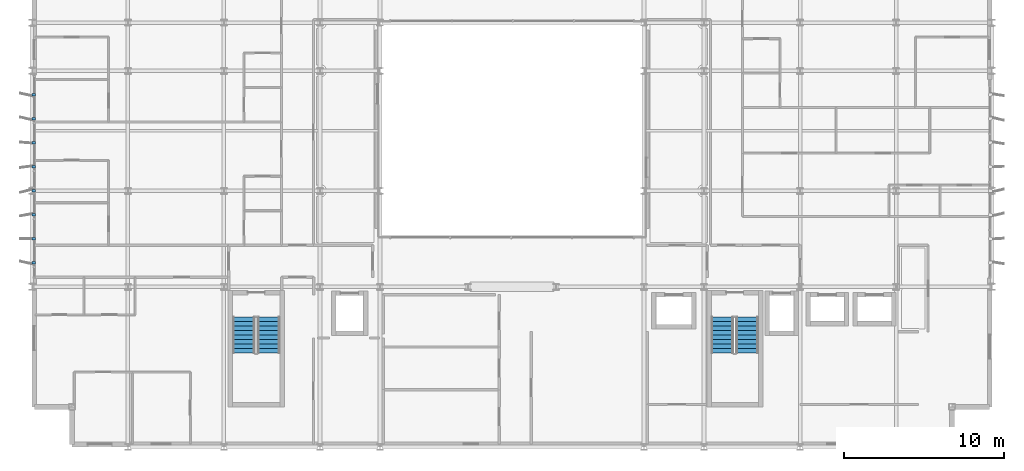
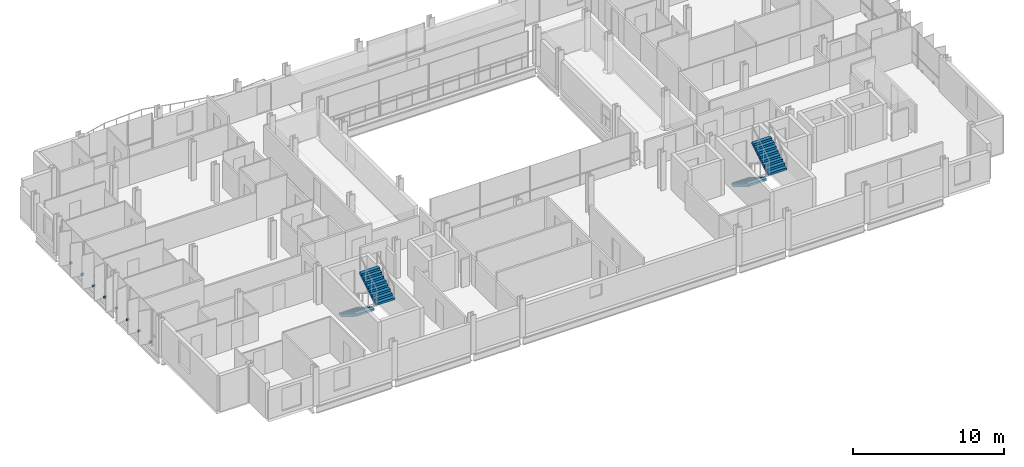
# One storey, part 34 of 38: 8 discrete accessories, 4 stair flights, 2 elements without a shape of their own.
"""IFC4 building model written with IfcOpenShell, lengths in metres."""

import ifcopenshell
import ifcopenshell.guid

model = None  # the IFC model being written
_history = None  # IfcOwnerHistory: only IFC2X3 demands one
_inside = {}  # id of a spatial element -> (the spatial element, [elements in it])
_under = {}  # id of a project, library or spatial element -> (it, [spatial elements below it])
_declared = {}  # id of a project -> (the project, [libraries it declares])
_typed = {}  # id of a type object -> (the type object, [elements of that type])
_made_of = {}  # id of a material, layer set ... -> (it, [elements and type objects made of it])


def new_model(schema):
    """Start an empty IFC model of exactly this schema.

    Asked for "IFC4X3", IfcOpenShell would pick the latest addendum, in which some entities
    have other attributes; the version numbers below select the first issue.
    IFC2X3 requires an IfcOwnerHistory on every rooted entity: one is made here for all.
    """
    global model, _history
    if schema == "IFC4X3":
        model = ifcopenshell.file(schema_version=(4, 3, 0, 0))
    else:
        model = ifcopenshell.file(schema=schema)
    _inside.clear()
    _under.clear()
    _declared.clear()
    _typed.clear()
    _made_of.clear()
    _history = None
    if model.schema == "IFC2X3":
        org = make("IfcOrganization", Name="unknown")
        user = make(
            "IfcPersonAndOrganization",
            ThePerson=make("IfcPerson", FamilyName="unknown"),
            TheOrganization=org,
        )
        app = make(
            "IfcApplication",
            ApplicationDeveloper=org,
            Version="unknown",
            ApplicationFullName="unknown",
            ApplicationIdentifier="unknown",
        )
        _history = make(
            "IfcOwnerHistory",
            OwningUser=user,
            OwningApplication=app,
            ChangeAction="ADDED",
            CreationDate=0,
        )
    return model


def make(cls, **values):
    """One entity of the class cls with the attributes given. An attribute that is None is left unset."""
    return model.create_entity(
        cls, **{name: value for name, value in values.items() if value is not None}
    )


def rooted(cls, **values):
    """An entity with a GlobalId (a new one), such as an element, a storey or a relation."""
    return make(cls, GlobalId=ifcopenshell.guid.new(), OwnerHistory=_history, **values)


def si_unit(unit_type, name, prefix=None):
    """IfcSIUnit, for example si_unit("LENGTHUNIT", "METRE", prefix="MILLI")."""
    return make("IfcSIUnit", UnitType=unit_type, Prefix=prefix, Name=name)


def assignment(units):
    """IfcUnitAssignment: the units of a project."""
    return None if units is None else make("IfcUnitAssignment", Units=units)


def point(xyz):
    """IfcCartesianPoint."""
    return None if xyz is None else make("IfcCartesianPoint", Coordinates=xyz)


def direction(xyz):
    """IfcDirection."""
    return None if xyz is None else make("IfcDirection", DirectionRatios=xyz)


def frame(location, z_axis=None, x_axis=None):
    """IfcAxis2Placement3D, a coordinate frame: its origin and axes. An axis left out is left unset."""
    return make(
        "IfcAxis2Placement3D",
        Location=point(location),
        Axis=direction(z_axis),
        RefDirection=direction(x_axis),
    )


def frame_2d(location, x_axis=None):
    """IfcAxis2Placement2D, a coordinate frame in the plane: its origin and x axis."""
    return make(
        "IfcAxis2Placement2D", Location=point(location), RefDirection=direction(x_axis)
    )


def origin():
    """The frame at (0, 0, 0) with its axes left unset."""
    return frame((0.0, 0.0, 0.0))


def origin_2d():
    """The frame at (0, 0) in the plane with its x axis left unset."""
    return frame_2d((0.0, 0.0))


def place(relative_to, where):
    """IfcLocalPlacement: puts the frame where relative to a parent placement (None: the world)."""
    return make(
        "IfcLocalPlacement", PlacementRelTo=relative_to, RelativePlacement=where
    )


def context(
    kind, dimensions, precision=None, world=None, true_north=None, identifier=None
):
    """IfcGeometricRepresentationContext, for example the 3D "Model" context."""
    return make(
        "IfcGeometricRepresentationContext",
        ContextIdentifier=identifier,
        ContextType=kind,
        CoordinateSpaceDimension=dimensions,
        Precision=precision,
        WorldCoordinateSystem=world,
        TrueNorth=true_north,
    )


def subcontext(parent, identifier, kind, view, scale=None):
    """IfcGeometricRepresentationSubContext, for example "Body" below "Model"."""
    return make(
        "IfcGeometricRepresentationSubContext",
        ContextIdentifier=identifier,
        ContextType=kind,
        ParentContext=parent,
        TargetScale=scale,
        TargetView=view,
    )


def project(units=None, contexts=None):
    """IfcProject with its units and contexts."""
    return rooted(
        "IfcProject",
        Name="project",
        RepresentationContexts=contexts,
        UnitsInContext=assignment(units),
    )


def spatial(cls, under=None, at=None, **own):
    """A site, building, storey or space (cls), placed at a placement, below another one or the project."""
    s = rooted(cls, ObjectPlacement=at, **own)
    if under is not None:
        _under.setdefault(under.id(), (under, []))[1].append(s)
    return s


def polyline(points):
    """IfcPolyline through the points."""
    return make("IfcPolyline", Points=[point(p) for p in points])


def profile(cls, at=None, kind="AREA", **sizes):
    """A parametric profile (cls). Its sizes go by their IFC names, for example OverallWidth=200.0."""
    return make(cls, ProfileType=kind, Position=at, **sizes)


def rectangle(**sizes):
    """IfcRectangleProfileDef."""
    return profile("IfcRectangleProfileDef", **sizes)


def outline(outer, holes=None, kind="AREA"):
    """IfcArbitraryClosedProfileDef: a profile drawn as a closed curve; with holes, ...WithVoids."""
    if holes is None:
        return make("IfcArbitraryClosedProfileDef", ProfileType=kind, OuterCurve=outer)
    return make(
        "IfcArbitraryProfileDefWithVoids",
        ProfileType=kind,
        OuterCurve=outer,
        InnerCurves=holes,
    )


def extrude(swept, where, along, depth):
    """IfcExtrudedAreaSolid: the profile swept, set in the frame where, extruded along a direction by depth."""
    return make(
        "IfcExtrudedAreaSolid",
        SweptArea=swept,
        Position=where,
        ExtrudedDirection=direction(along),
        Depth=depth,
    )


def shape(context_of_items, identifier, shape_type, items):
    """IfcShapeRepresentation: the items that make up one representation, for example the "Body"."""
    return make(
        "IfcShapeRepresentation",
        ContextOfItems=context_of_items,
        RepresentationIdentifier=identifier,
        RepresentationType=shape_type,
        Items=items,
    )


def material(Name=None, Category=None):
    """IfcMaterial."""
    return make("IfcMaterial", Name=Name, Category=Category)


def layer(
    of_material, thickness, ventilated=None, Name=None, Category=None, Priority=None
):
    """IfcMaterialLayer: one layer of a wall or slab, of a material (None: an air gap)."""
    return make(
        "IfcMaterialLayer",
        Material=of_material,
        LayerThickness=thickness,
        IsVentilated=ventilated,
        Name=Name,
        Category=Category,
        Priority=Priority,
    )


def layer_set(layers, Name=None):
    """IfcMaterialLayerSet."""
    return make("IfcMaterialLayerSet", MaterialLayers=layers, LayerSetName=Name)


def made_of(thing, what):
    """Note that an element or type object is made of a material, layer set ...; save() writes the relation."""
    if what is not None:
        _made_of.setdefault(what.id(), (what, []))[1].append(thing)
    return thing


def type_object(cls, material=None, **own):
    """A type object (cls), such as IfcWallType, which elements share."""
    return made_of(rooted(cls, **own), material)


def element(
    cls,
    number,
    at=None,
    inside=None,
    cuts=None,
    type_object=None,
    material=None,
    context=None,
    identifier="Body",
    shape_type=None,
    held_by="IfcProductDefinitionShape",
    body=None,
    shapes=None,
    **own,
):
    """One element of the class cls, such as IfcWall. Its Tag is "e" and its number.

    at: its placement. inside: the storey or other place that contains it. cuts: it is an
    opening in that element (IfcRelVoidsElement). A single representation is given by context,
    identifier, shape_type and body (its items); several are given by shapes. held_by: the class
    of the entity that holds the representations. save() writes the other relations.
    """
    e = rooted(cls, Tag="e%d" % number, ObjectPlacement=at, **own)
    if body is not None:
        shapes = [shape(context, identifier, shape_type, body)]
    if shapes is not None:
        e.Representation = make(held_by, Representations=shapes)
    if inside is not None:
        _inside.setdefault(inside.id(), (inside, []))[1].append(e)
    if cuts is not None:
        rooted(
            "IfcRelVoidsElement", RelatingBuildingElement=cuts, RelatedOpeningElement=e
        )
    if type_object is not None:
        _typed.setdefault(type_object.id(), (type_object, []))[1].append(e)
    return made_of(e, material)


def aggregate(whole, parts):
    """IfcRelAggregates: a whole, such as a stair, and the parts it consists of."""
    return rooted("IfcRelAggregates", RelatingObject=whole, RelatedObjects=parts)


def save(model, path):
    """Write the relations noted so far, then the file.

    IfcRelAggregates (storeys below a building ...), IfcRelContainedInSpatialStructure (elements
    in a storey), IfcRelDefinesByType, IfcRelAssociatesMaterial and IfcRelDeclares: one each for
    every whole, place, type object, material and project.
    """
    for whole, parts in _under.values():
        aggregate(whole, parts)
    for where, things in _inside.values():
        rooted(
            "IfcRelContainedInSpatialStructure",
            RelatedElements=things,
            RelatingStructure=where,
        )
    for kind, things in _typed.values():
        rooted("IfcRelDefinesByType", RelatedObjects=things, RelatingType=kind)
    for what, things in _made_of.values():
        rooted("IfcRelAssociatesMaterial", RelatedObjects=things, RelatingMaterial=what)
    for by, libraries in _declared.values():
        rooted("IfcRelDeclares", RelatingContext=by, RelatedDefinitions=libraries)
    model.write(path)


model = new_model("IFC4")

# Units and contexts
model_context = context("Model", 3, precision=1e-05, world=origin(), true_north=direction((0.0, 1.0)))
body_context = subcontext(model_context, "Body", "Model", "MODEL_VIEW")
ifc_project = project(units=[si_unit("LENGTHUNIT", "METRE"), si_unit("AREAUNIT", "SQUARE_METRE"), si_unit("VOLUMEUNIT", "CUBIC_METRE"), si_unit("PLANEANGLEUNIT", "RADIAN"), si_unit("MASSUNIT", "GRAM", prefix="KILO")], contexts=[model_context])

# Site, building, storey
site_placement = place(None, origin())
site = spatial("IfcSite", under=ifc_project, at=site_placement, CompositionType="ELEMENT")
building_placement = place(site_placement, origin())
building = spatial("IfcBuilding", under=site, at=building_placement, Name="Brevholm Reach", CompositionType="ELEMENT")
storey_placement = place(building_placement, frame((0.0, 0.0, 141.800048828125)))
storey = spatial("IfcBuildingStorey", under=building, at=storey_placement, Name="L42", CompositionType="ELEMENT", Elevation=141.800048828125)

# Stair, stair flights
ifc_material_1 = material(Name="Precast Concrete C40/50", Category="concrete")
stair_type = type_object("IfcStairType", Name="STR-ESC-1400", PredefinedType="DOUBLE_RETURN_STAIR", material=ifc_material_1)
stair_1_placement = place(storey_placement, origin())
stair_1 = element("IfcStair", 1, at=stair_1_placement, inside=storey, type_object=stair_type, Name="L42 ST-1", PredefinedType="DOUBLE_RETURN_STAIR")
ifc_material_2 = material(Name="Precast Concrete C40/50", Category="concrete")
ifc_layer = layer(ifc_material_2, 0.18505859375)
ifc_layer_set = layer_set([ifc_layer], Name="Precast Concrete C40/50")
stair_flight_type = type_object("IfcStairFlightType", Name="STF-PRC-185", PredefinedType="STRAIGHT", material=ifc_layer_set)
stair_flight_1_placement = place(storey_placement, frame((13.25, 8.10009765625, 0.0), z_axis=(0.0, 0.0, 1.0), x_axis=(0.0, -1.0, 0.0)))
stair_flight_1 = element("IfcStairFlight", 2, at=stair_flight_1_placement, type_object=stair_flight_type, Name="ST-1 flight 1", NumberOfRisers=9, NumberOfTreads=8, PredefinedType="STRAIGHT", RiserHeight=0.172222222, TreadLength=0.28, context=body_context, shape_type="SweptSolid", body=[
    extrude(outline(polyline([(0.0, 0.0), (0.0, 0.172119140625), (0.280029296875, 0.172119140625), (0.280029296875, 0.344482421875), (0.56005859375, 0.344482421875), (0.56005859375, 0.5166015625), (0.840087890625, 0.5166015625), (0.840087890625, 0.68896484375), (1.1201171875, 0.68896484375), (1.1201171875, 0.861083984375), (1.39990234375, 0.861083984375), (1.39990234375, 1.033447265625), (1.679931640625, 1.033447265625), (1.679931640625, 1.20556640625), (1.9599609375, 1.20556640625), (1.9599609375, 1.377685546875), (2.239990234375, 1.377685546875), (2.239990234375, 1.550048828125), (2.239990234375, 1.201904296875), (0.2861328125, 0.0), (0.0, 0.0)])), frame((0.0, 0.699951171875, 0.0), z_axis=(0.0, -1.0, 0.0), x_axis=(1.0, 0.0, 0.0)), (0.0, 0.0, 1.0), 1.39990234375),
])
stair_flight_2_placement = place(storey_placement, frame((14.800048828125, 5.860107421875, 1.550048828125), z_axis=(0.0, 0.0, 1.0), x_axis=(0.0, 1.0, 0.0)))
stair_flight_2 = element("IfcStairFlight", 3, at=stair_flight_2_placement, type_object=stair_flight_type, Name="ST-1 flight 2", NumberOfRisers=9, NumberOfTreads=8, PredefinedType="STRAIGHT", RiserHeight=0.172222222, TreadLength=0.28, context=body_context, shape_type="SweptSolid", body=[
    extrude(outline(polyline([(0.0, 0.0), (0.0, 0.172119140625), (0.280029296875, 0.172119140625), (0.280029296875, 0.344482421875), (0.56005859375, 0.344482421875), (0.56005859375, 0.5166015625), (0.840087890625, 0.5166015625), (0.840087890625, 0.68896484375), (1.1201171875, 0.68896484375), (1.1201171875, 0.861083984375), (1.39990234375, 0.861083984375), (1.39990234375, 1.033447265625), (1.679931640625, 1.033447265625), (1.679931640625, 1.20556640625), (1.9599609375, 1.20556640625), (1.9599609375, 1.377685546875), (2.239990234375, 1.377685546875), (2.239990234375, 1.550048828125), (2.239990234375, 1.201904296875), (0.2861328125, 0.0), (0.0, 0.0)])), frame((0.0, 0.699951171875, 0.0), z_axis=(0.0, -1.0, 0.0), x_axis=(1.0, 0.0, 0.0)), (0.0, 0.0, 1.0), 1.39990234375),
])
aggregate(stair_1, [stair_flight_1, stair_flight_2])

stair_2_placement = place(storey_placement, origin())
stair_2 = element("IfcStair", 4, at=stair_2_placement, inside=storey, type_object=stair_type, Name="L42 ST-2", PredefinedType="DOUBLE_RETURN_STAIR")
stair_flight_3_placement = place(storey_placement, frame((43.14990234375, 8.10009765625, 0.0), z_axis=(0.0, 0.0, 1.0), x_axis=(0.0, -1.0, 0.0)))
stair_flight_3 = element("IfcStairFlight", 5, at=stair_flight_3_placement, type_object=stair_flight_type, Name="ST-2 flight 1", NumberOfRisers=9, NumberOfTreads=8, PredefinedType="STRAIGHT", RiserHeight=0.172222222, TreadLength=0.28, context=body_context, shape_type="SweptSolid", body=[
    extrude(outline(polyline([(0.0, 0.0), (0.0, 0.172119140625), (0.280029296875, 0.172119140625), (0.280029296875, 0.344482421875), (0.56005859375, 0.344482421875), (0.56005859375, 0.5166015625), (0.840087890625, 0.5166015625), (0.840087890625, 0.68896484375), (1.1201171875, 0.68896484375), (1.1201171875, 0.861083984375), (1.39990234375, 0.861083984375), (1.39990234375, 1.033447265625), (1.679931640625, 1.033447265625), (1.679931640625, 1.20556640625), (1.9599609375, 1.20556640625), (1.9599609375, 1.377685546875), (2.239990234375, 1.377685546875), (2.239990234375, 1.550048828125), (2.239990234375, 1.201904296875), (0.2861328125, 0.0), (0.0, 0.0)])), frame((0.0, 0.699951171875, 0.0), z_axis=(0.0, -1.0, 0.0), x_axis=(1.0, 0.0, 0.0)), (0.0, 0.0, 1.0), 1.39990234375),
])
stair_flight_4_placement = place(storey_placement, frame((44.699951171875, 5.860107421875, 1.550048828125), z_axis=(0.0, 0.0, 1.0), x_axis=(0.0, 1.0, 0.0)))
stair_flight_4 = element("IfcStairFlight", 6, at=stair_flight_4_placement, type_object=stair_flight_type, Name="ST-2 flight 2", NumberOfRisers=9, NumberOfTreads=8, PredefinedType="STRAIGHT", RiserHeight=0.172222222, TreadLength=0.28, context=body_context, shape_type="SweptSolid", body=[
    extrude(outline(polyline([(0.0, 0.0), (0.0, 0.172119140625), (0.280029296875, 0.172119140625), (0.280029296875, 0.344482421875), (0.56005859375, 0.344482421875), (0.56005859375, 0.5166015625), (0.840087890625, 0.5166015625), (0.840087890625, 0.68896484375), (1.1201171875, 0.68896484375), (1.1201171875, 0.861083984375), (1.39990234375, 0.861083984375), (1.39990234375, 1.033447265625), (1.679931640625, 1.033447265625), (1.679931640625, 1.20556640625), (1.9599609375, 1.20556640625), (1.9599609375, 1.377685546875), (2.239990234375, 1.377685546875), (2.239990234375, 1.550048828125), (2.239990234375, 1.201904296875), (0.2861328125, 0.0), (0.0, 0.0)])), frame((0.0, 0.699951171875, 0.0), z_axis=(0.0, -1.0, 0.0), x_axis=(1.0, 0.0, 0.0)), (0.0, 0.0, 1.0), 1.39990234375),
])
aggregate(stair_2, [stair_flight_3, stair_flight_4])

# Discrete accessories
ifc_material_3 = material(Name="Duplex Stainless Steel EN 1.4462", Category="steel")
discrete_accessory_type = type_object("IfcDiscreteAccessoryType", Name="ACC-BRK-01", PredefinedType="BRACKET", material=ifc_material_3)
for number, where, z_axis, x_axis, name in (
    (7, (0.1201171875, 11.5, 0.02978515625), (0.0, 0.0, 1.0), (-1.0, 0.0, 0.0), "L42 Solar Screen Support Bracket 1"),
    (8, (0.1201171875, 13.0, 0.02978515625), (0.0, 0.0, 1.0), (-1.0, 0.0, 0.0), "L42 Solar Screen Support Bracket 2"),
    (9, (0.1201171875, 14.5, 0.02978515625), (0.0, 0.0, 1.0), (-1.0, 0.0, 0.0), "L42 Solar Screen Support Bracket 3"),
    (10, (0.1201171875, 16.0, 0.02978515625), (0.0, 0.0, 1.0), (-1.0, 0.0, 0.0), "L42 Solar Screen Support Bracket 4"),
    (11, (0.1201171875, 17.5, 0.02978515625), (0.0, 0.0, 1.0), (-1.0, 0.0, 0.0), "L42 Solar Screen Support Bracket 5"),
    (12, (0.1201171875, 19.0, 0.02978515625), (0.0, 0.0, 1.0), (-1.0, 0.0, 0.0), "L42 Solar Screen Support Bracket 6"),
    (13, (0.1201171875, 20.5, 0.02978515625), (0.0, 0.0, 1.0), (-1.0, 0.0, 0.0), "L42 Solar Screen Support Bracket 7"),
    (14, (0.1201171875, 22.0, 0.02978515625), (0.0, 0.0, 1.0), (-1.0, 0.0, 0.0), "L42 Solar Screen Support Bracket 8"),
):
    element("IfcDiscreteAccessory", number, at=place(storey_placement, frame(where, z_axis=z_axis, x_axis=x_axis)), inside=storey, type_object=discrete_accessory_type, Name=name, PredefinedType="BRACKET", context=body_context, shape_type="SweptSolid", body=[
        extrude(rectangle(XDim=0.199951171875, YDim=0.139892578125, at=origin_2d()), origin(), (0.0, 0.0, 1.0), 0.139892578125),
    ])

save(model, "model.ifc")
